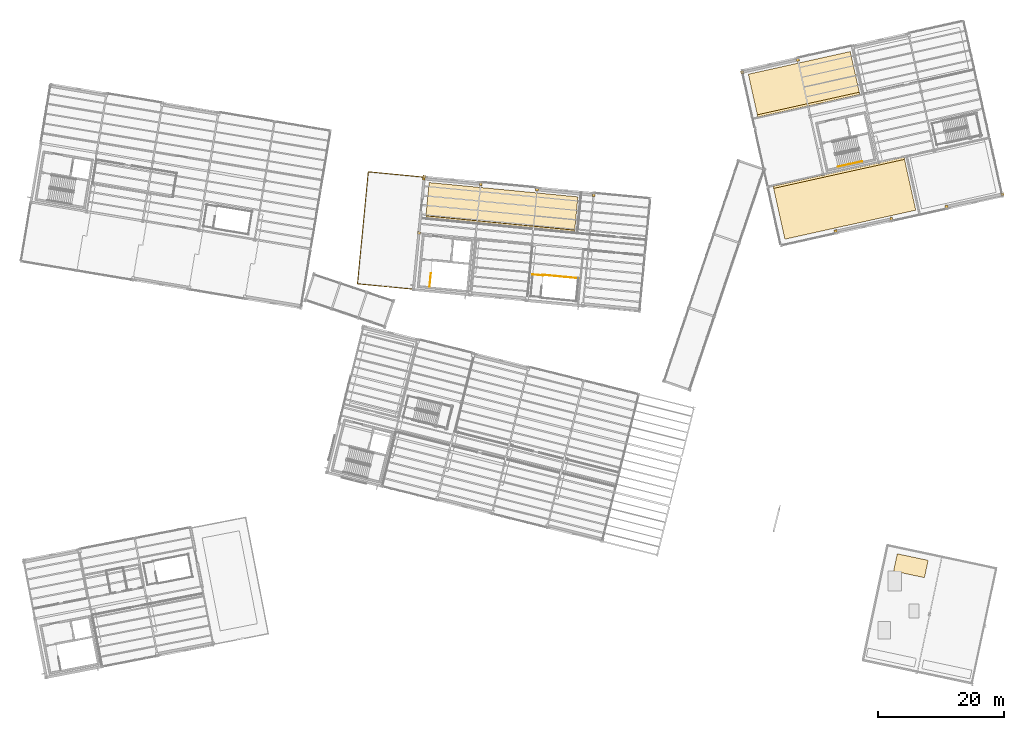
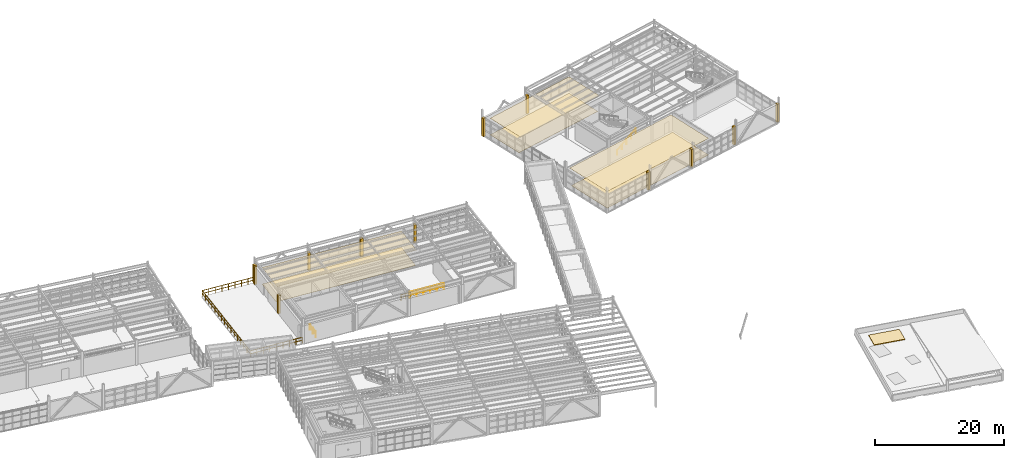
# One storey, part 101 of 102: 19 coverings, 5 railings.
"""IFC4 building model written with IfcOpenShell, lengths in metres."""

from ifc_helpers import new_model, si_unit, direction, frame, origin, origin_2d, place, context, subcontext, project, spatial, polyline, rectangle, circle, outline, extrude, material, layer, layer_set, type_object, element, save


model = new_model("IFC4")

# Units and contexts
model_context = context("Model", 3, precision=1e-05, world=origin(), true_north=direction((0.0, 1.0)))
body_context = subcontext(model_context, "Body", "Model", "MODEL_VIEW")
ifc_project = project(units=[si_unit("LENGTHUNIT", "METRE"), si_unit("AREAUNIT", "SQUARE_METRE"), si_unit("VOLUMEUNIT", "CUBIC_METRE"), si_unit("PLANEANGLEUNIT", "RADIAN"), si_unit("MASSUNIT", "GRAM", prefix="KILO")], contexts=[model_context])

# Site, building, storey
site_placement = place(None, origin())
site = spatial("IfcSite", under=ifc_project, at=site_placement, CompositionType="ELEMENT")
building_placement = place(site_placement, origin())
building = spatial("IfcBuilding", under=site, at=building_placement, Name="Vireo Bluff Cable Station", CompositionType="ELEMENT")
storey_placement = place(building_placement, frame((0.0, 0.0, 9.60009765625)))
storey = spatial("IfcBuildingStorey", under=building, at=storey_placement, Name="L02", CompositionType="ELEMENT", Elevation=9.60009765625)

# Coverings
ifc_material_1 = material(Name="Perforated Acoustic Metal Ceiling")
ifc_layer_1 = layer(ifc_material_1, 0.02490234375, Name="Perforated Acoustic Metal Ceiling")
ifc_layer_set_1 = layer_set([ifc_layer_1], Name="Perforated Acoustic Metal Ceiling")
covering_type_1 = type_object("IfcCoveringType", Name="CEILING-ACOUSTIC-25", PredefinedType="CEILING", material=ifc_layer_set_1)
covering_1_placement = place(storey_placement, frame((0.0, 0.0, 3.119873046875)))
element("IfcCovering", 1, at=covering_1_placement, inside=storey, type_object=covering_type_1, Name="V2 L02 Drive Room acoustic ceiling", PredefinedType="CEILING", context=body_context, shape_type="SweptSolid", body=[
    extrude(outline(polyline([(126.64599609375, 75.013916015625), (147.39208984375, 79.61328125), (145.528564453125, 88.01904296875), (124.7822265625, 83.419677734375), (126.64599609375, 75.013916015625)])), origin(), (0.0, 0.0, 1.0), 0.025146484375),
])
covering_2_placement = place(storey_placement, frame((0.0, 0.0, 3.119873046875)))
element("IfcCovering", 2, at=covering_2_placement, inside=storey, type_object=covering_type_1, Name="V3 L02 Viewing Restaurant acoustic ceiling", PredefinedType="CEILING", context=body_context, shape_type="SweptSolid", body=[
    extrude(outline(polyline([(69.68310546875, 78.334716796875), (93.27392578125, 76.06298828125), (93.81884765625, 81.721923828125), (70.22802734375, 83.993408203125), (69.68310546875, 78.334716796875)])), origin(), (0.0, 0.0, 1.0), 0.025146484375),
])
ifc_layer_2 = layer(ifc_material_1, 0.034912109375, Name="Perforated Acoustic Metal Ceiling")
ifc_layer_set_2 = layer_set([ifc_layer_2], Name="Perforated Acoustic Metal Ceiling")
covering_type_2 = type_object("IfcCoveringType", Name="CEILING-ACOUSTIC-35", PredefinedType="CEILING", material=ifc_layer_set_2)
covering_3_placement = place(storey_placement, frame((0.0, 0.0, 3.119873046875)))
element("IfcCovering", 3, at=covering_3_placement, inside=storey, type_object=covering_type_2, Name="V2 L02 Auxiliary Evacuation Drive Room acoustic ceiling", PredefinedType="CEILING", context=body_context, shape_type="SweptSolid", body=[
    extrude(outline(polyline([(122.353759765625, 94.373779296875), (138.511474609375, 97.955810546875), (137.0029296875, 104.7607421875), (120.84521484375, 101.178466796875), (122.353759765625, 94.373779296875)])), origin(), (0.0, 0.0, 1.0), 0.034912109375),
])
ifc_material_2 = material(Name="Precast concrete f'c 45 MPa", Category="concrete")
ifc_layer_3 = layer(ifc_material_2, 0.0400390625, Name="Precast concrete f'c 45 MPa")
ifc_layer_set_3 = layer_set([ifc_layer_3], Name="Precast concrete f'c 45 MPa")
covering_type_3 = type_object("IfcCoveringType", Name="COL-CLOSURE-WRAP", PredefinedType="CLADDING", material=ifc_layer_set_3)
for number, where, z_axis, x_axis, name in (
    (4, (161.121337890625, 82.134521484375, 0.0), (0.0, 0.0, 1.0), (0.97629600712, 0.216439613938, 0.0), "V2 L02 column pocket closure"),
    (5, (152.263427734375, 80.170654296875, 0.0), (0.0, 0.0, 1.0), (0.97629600712, 0.216439613938, 0.0), "V2 L02 column pocket closure"),
    (6, (143.520751953125, 78.232421875, 0.0), (0.0, 0.0, 1.0), (0.97629600712, 0.216439613938, 0.0), "V2 L02 column pocket closure"),
    (7, (134.690185546875, 76.27490234375, 0.0), (0.0, 0.0, 1.0), (0.97629600712, 0.216439613938, 0.0), "V2 L02 column pocket closure"),
    (8, (119.856689453125, 101.481689453125, 0.0), (0.0, 0.0, 1.0), (0.97629600712, 0.216439613938, 0.0), "V2 L02 column pocket closure"),
    (9, (128.712646484375, 103.445068359375, 0.0), (0.0, 0.0, 1.0), (0.97629600712, 0.216439613938, 0.0), "V2 L02 column pocket closure"),
    (10, (68.601806640625, 75.973876953125, 0.0), (0.0, 0.0, 1.0), (0.995396198367, -0.09584575252, 0.0), "V3 L02 column pocket closure"),
    (11, (69.46337890625, 84.922607421875, 0.0), (0.0, 0.0, 1.0), (0.995396198367, -0.09584575252, 0.0), "V3 L02 column pocket closure"),
    (12, (69.3798828125, 84.58740234375, 0.0), (0.0, 0.0, 1.0), (0.995396198367, -0.09584575252, 0.0), "V3 L02 column pocket closure"),
    (13, (78.41064453125, 83.718017578125, 0.0), (0.0, 0.0, 1.0), (0.995396198367, -0.09584575252, 0.0), "V3 L02 column pocket closure"),
    (14, (87.324462890625, 82.859619140625, 0.0), (0.0, 0.0, 1.0), (0.995396198367, -0.09584575252, 0.0), "V3 L02 column pocket closure"),
    (15, (96.327880859375, 81.99267578125, 0.0), (0.0, 0.0, 1.0), (0.995396198367, -0.09584575252, 0.0), "V3 L02 column pocket closure"),
):
    element("IfcCovering", number, at=place(storey_placement, frame(where, z_axis=z_axis, x_axis=x_axis)), inside=storey, type_object=covering_type_3, Name=name, PredefinedType="CLADDING", context=body_context, shape_type="SweptSolid", body=[
        extrude(rectangle(XDim=0.43994140625, YDim=0.43994140625, at=origin_2d()), origin(), (0.0, 0.0, 1.0), 3.39990234375),
    ])

# Railing
ifc_material_3 = material(Name="Stainless Steel 316", Category="steel")
railing_type_1 = type_object("IfcRailingType", Name="EXTGUARD-1150", PredefinedType="GUARDRAIL", material=ifc_material_3)
railing_1_placement = place(storey_placement, frame((67.7060546875, 67.08740234375, 0.0)))
element("IfcRailing", 16, at=railing_1_placement, inside=storey, type_object=railing_type_1, Name="V3 L02 outdoor terrace guard 1", PredefinedType="GUARDRAIL", context=body_context, shape_type="SweptSolid", body=[
    extrude(circle(Radius=0.02392578125, at=origin_2d()), frame((0.0, 0.0, 1.1259765625), z_axis=(-0.995396578666, 0.095841802879, 0.0), x_axis=(-0.095841802879, -0.995396578666, 0.0)), (0.0, 0.0, 1.0), 8.8798828125),
    extrude(circle(Radius=0.02392578125, at=origin_2d()), frame((0.0, 0.0, 0.574951171875), z_axis=(-0.995396578666, 0.095841802879, 0.0), x_axis=(-0.095841802879, -0.995396578666, 0.0)), (0.0, 0.0, 1.0), 8.8798828125),
    extrude(circle(Radius=0.02392578125, at=origin_2d()), frame((-8.839111328125, 0.85107421875, 1.1259765625), z_axis=(0.095836529314, 0.995397086418, 0.0), x_axis=(-0.995397086418, 0.095836529314, 0.0)), (0.0, 0.0, 1.0), 17.83984375),
    extrude(circle(Radius=0.02392578125, at=origin_2d()), frame((-8.839111328125, 0.85107421875, 0.574951171875), z_axis=(0.095836529314, 0.995397086418, 0.0), x_axis=(-0.995397086418, 0.095836529314, 0.0)), (0.0, 0.0, 1.0), 17.83984375),
    extrude(circle(Radius=0.02392578125, at=origin_2d()), frame((-7.12939453125, 18.60888671875, 1.1259765625), z_axis=(0.995396578666, -0.095841802879, 0.0), x_axis=(0.095841802879, 0.995396578666, 0.0)), (0.0, 0.0, 1.0), 8.8798828125),
    extrude(circle(Radius=0.02392578125, at=origin_2d()), frame((-7.12939453125, 18.60888671875, 0.574951171875), z_axis=(0.995396578666, -0.095841802879, 0.0), x_axis=(0.095841802879, 0.995396578666, 0.0)), (0.0, 0.0, 1.0), 8.8798828125),
    extrude(circle(Radius=0.02099609375, at=origin_2d()), origin(), (0.0, 0.0, 1.0), 1.101806640625),
    extrude(circle(Radius=0.02099609375, at=origin_2d()), frame((-1.10498046875, 0.1064453125, 0.0)), (0.0, 0.0, 1.0), 1.101806640625),
    extrude(circle(Radius=0.02099609375, at=origin_2d()), frame((-2.209716796875, 0.212890625, 0.0)), (0.0, 0.0, 1.0), 1.101806640625),
    extrude(circle(Radius=0.02099609375, at=origin_2d()), frame((-3.314697265625, 0.319091796875, 0.0)), (0.0, 0.0, 1.0), 1.101806640625),
    extrude(circle(Radius=0.02099609375, at=origin_2d()), frame((-4.41943359375, 0.425537109375, 0.0)), (0.0, 0.0, 1.0), 1.101806640625),
    extrude(circle(Radius=0.02099609375, at=origin_2d()), frame((-5.5244140625, 0.531982421875, 0.0)), (0.0, 0.0, 1.0), 1.101806640625),
    extrude(circle(Radius=0.02099609375, at=origin_2d()), frame((-6.62939453125, 0.63818359375, 0.0)), (0.0, 0.0, 1.0), 1.101806640625),
    extrude(circle(Radius=0.02099609375, at=origin_2d()), frame((-7.734130859375, 0.74462890625, 0.0)), (0.0, 0.0, 1.0), 1.101806640625),
    extrude(circle(Radius=0.02099609375, at=origin_2d()), frame((-8.839111328125, 0.85107421875, 0.0)), (0.0, 0.0, 1.0), 1.101806640625),
    extrude(circle(Radius=0.02099609375, at=origin_2d()), frame((-8.72509765625, 2.034912109375, 0.0)), (0.0, 0.0, 1.0), 1.101806640625),
    extrude(circle(Radius=0.02099609375, at=origin_2d()), frame((-8.611083984375, 3.21875, 0.0)), (0.0, 0.0, 1.0), 1.101806640625),
    extrude(circle(Radius=0.02099609375, at=origin_2d()), frame((-8.4970703125, 4.402587890625, 0.0)), (0.0, 0.0, 1.0), 1.101806640625),
    extrude(circle(Radius=0.02099609375, at=origin_2d()), frame((-8.38330078125, 5.58642578125, 0.0)), (0.0, 0.0, 1.0), 1.101806640625),
    extrude(circle(Radius=0.02099609375, at=origin_2d()), frame((-8.269287109375, 6.770263671875, 0.0)), (0.0, 0.0, 1.0), 1.101806640625),
    extrude(circle(Radius=0.02099609375, at=origin_2d()), frame((-8.1552734375, 7.9541015625, 0.0)), (0.0, 0.0, 1.0), 1.101806640625),
    extrude(circle(Radius=0.02099609375, at=origin_2d()), frame((-8.041259765625, 9.137939453125, 0.0)), (0.0, 0.0, 1.0), 1.101806640625),
    extrude(circle(Radius=0.02099609375, at=origin_2d()), frame((-7.92724609375, 10.322021484375, 0.0)), (0.0, 0.0, 1.0), 1.101806640625),
    extrude(circle(Radius=0.02099609375, at=origin_2d()), frame((-7.813232421875, 11.505859375, 0.0)), (0.0, 0.0, 1.0), 1.101806640625),
    extrude(circle(Radius=0.02099609375, at=origin_2d()), frame((-7.69921875, 12.689697265625, 0.0)), (0.0, 0.0, 1.0), 1.101806640625),
    extrude(circle(Radius=0.02099609375, at=origin_2d()), frame((-7.585205078125, 13.87353515625, 0.0)), (0.0, 0.0, 1.0), 1.101806640625),
    extrude(circle(Radius=0.02099609375, at=origin_2d()), frame((-7.471435546875, 15.057373046875, 0.0)), (0.0, 0.0, 1.0), 1.101806640625),
    extrude(circle(Radius=0.02099609375, at=origin_2d()), frame((-7.357421875, 16.2412109375, 0.0)), (0.0, 0.0, 1.0), 1.101806640625),
    extrude(circle(Radius=0.02099609375, at=origin_2d()), frame((-7.243408203125, 17.425048828125, 0.0)), (0.0, 0.0, 1.0), 1.101806640625),
    extrude(circle(Radius=0.02099609375, at=origin_2d()), frame((-7.12939453125, 18.60888671875, 0.0)), (0.0, 0.0, 1.0), 1.101806640625),
    extrude(circle(Radius=0.02099609375, at=origin_2d()), frame((-6.0244140625, 18.50244140625, 0.0)), (0.0, 0.0, 1.0), 1.101806640625),
    extrude(circle(Radius=0.02099609375, at=origin_2d()), frame((-4.919677734375, 18.39599609375, 0.0)), (0.0, 0.0, 1.0), 1.101806640625),
    extrude(circle(Radius=0.02099609375, at=origin_2d()), frame((-3.814697265625, 18.289794921875, 0.0)), (0.0, 0.0, 1.0), 1.101806640625),
    extrude(circle(Radius=0.02099609375, at=origin_2d()), frame((-2.7099609375, 18.183349609375, 0.0)), (0.0, 0.0, 1.0), 1.101806640625),
    extrude(circle(Radius=0.02099609375, at=origin_2d()), frame((-1.60498046875, 18.076904296875, 0.0)), (0.0, 0.0, 1.0), 1.101806640625),
    extrude(circle(Radius=0.02099609375, at=origin_2d()), frame((-0.5, 17.970703125, 0.0)), (0.0, 0.0, 1.0), 1.101806640625),
    extrude(circle(Radius=0.02099609375, at=origin_2d()), frame((0.604736328125, 17.8642578125, 0.0)), (0.0, 0.0, 1.0), 1.101806640625),
    extrude(circle(Radius=0.02099609375, at=origin_2d()), frame((1.709716796875, 17.7578125, 0.0)), (0.0, 0.0, 1.0), 1.101806640625),
])

# Coverings
ifc_material_4 = material(Name="Polished Terrazzo Flooring")
ifc_layer_4 = layer(ifc_material_4, 0.02001953125, Name="Polished Terrazzo Flooring")
ifc_layer_set_4 = layer_set([ifc_layer_4], Name="Polished Terrazzo Flooring")
covering_type_4 = type_object("IfcCoveringType", Name="FLOORING-TERRAZZO-20", PredefinedType="FLOORING", material=ifc_layer_set_4)
covering_4_placement = place(storey_placement, origin())
element("IfcCovering", 17, at=covering_4_placement, inside=storey, type_object=covering_type_4, Name="V2 L02 Drive Room terrazzo finish", PredefinedType="FLOORING", context=body_context, shape_type="SweptSolid", body=[
    extrude(outline(polyline([(126.64599609375, 75.013916015625), (147.39208984375, 79.61328125), (145.6064453125, 87.667724609375), (124.8603515625, 83.068359375), (126.64599609375, 75.013916015625)])), origin(), (0.0, 0.0, 1.0), 0.02001953125),
])
covering_5_placement = place(storey_placement, origin())
element("IfcCovering", 18, at=covering_5_placement, inside=storey, type_object=covering_type_4, Name="V3 L02 Viewing Restaurant terrazzo finish", PredefinedType="FLOORING", context=body_context, shape_type="SweptSolid", body=[
    extrude(outline(polyline([(69.719970703125, 78.7177734375), (93.310791015625, 76.4462890625), (93.81884765625, 81.721923828125), (70.22802734375, 83.993408203125), (69.719970703125, 78.7177734375)])), origin(), (0.0, 0.0, 1.0), 0.02001953125),
])
ifc_layer_5 = layer(ifc_material_4, 0.030029296875, Name="Polished Terrazzo Flooring")
ifc_layer_set_5 = layer_set([ifc_layer_5], Name="Polished Terrazzo Flooring")
covering_type_5 = type_object("IfcCoveringType", Name="FLOORING-TERRAZZO-30", PredefinedType="FLOORING", material=ifc_layer_set_5)
covering_6_placement = place(storey_placement, origin())
element("IfcCovering", 19, at=covering_6_placement, inside=storey, type_object=covering_type_5, Name="V2 L02 Auxiliary Evacuation Drive Room terrazzo finish", PredefinedType="FLOORING", context=body_context, shape_type="SweptSolid", body=[
    extrude(outline(polyline([(122.273681640625, 94.735107421875), (138.431396484375, 98.317138671875), (137.0029296875, 104.7607421875), (120.84521484375, 101.178466796875), (122.273681640625, 94.735107421875)])), origin(), (0.0, 0.0, 1.0), 0.02978515625),
])
ifc_material_5 = material(Name="Vegetated Green Roof Assembly")
ifc_layer_6 = layer(ifc_material_5, 0.1201171875, Name="Vegetated Green Roof Assembly")
ifc_layer_set_6 = layer_set([ifc_layer_6], Name="Vegetated Green Roof Assembly")
covering_type_6 = type_object("IfcCoveringType", Name="ROOFING-GREEN-120", PredefinedType="ROOFING", material=ifc_layer_set_6)
covering_7_placement = place(storey_placement, origin())
element("IfcCovering", 20, at=covering_7_placement, inside=storey, type_object=covering_type_6, Name="V5E L02 vegetated green roof bed 6", PredefinedType="ROOFING", context=body_context, shape_type="SweptSolid", body=[
    extrude(outline(polyline([(143.87841796875, 22.38525390625), (148.76904296875, 21.345703125), (149.35107421875, 24.08447265625), (144.46044921875, 25.1240234375), (143.87841796875, 22.38525390625)])), origin(), (0.0, 0.0, 1.0), 0.119873046875),
])

# Railings
railing_type_2 = type_object("IfcRailingType", Name="STAIR-GUARD-1100", PredefinedType="GUARDRAIL", material=ifc_material_3)
railing_2_placement = place(storey_placement, frame((70.293701171875, 67.4609375, 0.0)))
element("IfcRailing", 21, at=railing_2_placement, inside=storey, type_object=railing_type_2, Name="L02 ST-01 top well guard 1", PredefinedType="GUARDRAIL", context=body_context, shape_type="SweptSolid", body=[
    extrude(circle(Radius=0.02392578125, at=origin_2d()), frame((0.0, 0.0, 1.076171875), z_axis=(0.095837899791, 0.995396954468, 0.0), x_axis=(-0.995396954468, 0.095837899791, 0.0)), (0.0, 0.0, 1.0), 2.150146484375),
    extrude(circle(Radius=0.02392578125, at=origin_2d()), frame((0.0, 0.0, 0.550048828125), z_axis=(0.095837899791, 0.995396954468, 0.0), x_axis=(-0.995396954468, 0.095837899791, 0.0)), (0.0, 0.0, 1.0), 2.150146484375),
    extrude(circle(Radius=0.02099609375, at=origin_2d()), origin(), (0.0, 0.0, 1.0), 1.052001953125),
    extrude(circle(Radius=0.02099609375, at=origin_2d()), frame((0.10302734375, 1.070068359375, 0.0)), (0.0, 0.0, 1.0), 1.052001953125),
    extrude(circle(Radius=0.02099609375, at=origin_2d()), frame((0.2060546875, 2.14013671875, 0.0)), (0.0, 0.0, 1.0), 1.052001953125),
])
railing_3_placement = place(storey_placement, frame((88.1884765625, 69.36474609375, 0.0)))
element("IfcRailing", 22, at=railing_3_placement, inside=storey, type_object=railing_type_2, Name="L02 ST-11 top well guard 3", PredefinedType="GUARDRAIL", context=body_context, shape_type="SweptSolid", body=[
    extrude(circle(Radius=0.02392578125, at=origin_2d()), frame((0.0, 0.0, 1.076171875), z_axis=(0.995392967818, -0.095879297134, 0.0), x_axis=(0.095879297134, 0.995392967818, 0.0)), (0.0, 0.0, 1.0), 5.77001953125),
    extrude(circle(Radius=0.02392578125, at=origin_2d()), frame((0.0, 0.0, 0.550048828125), z_axis=(0.995392967818, -0.095879297134, 0.0), x_axis=(0.095879297134, 0.995392967818, 0.0)), (0.0, 0.0, 1.0), 5.77001953125),
    extrude(circle(Radius=0.02099609375, at=origin_2d()), origin(), (0.0, 0.0, 1.0), 1.052001953125),
    extrude(circle(Radius=0.02099609375, at=origin_2d()), frame((1.148681640625, -0.110595703125, 0.0)), (0.0, 0.0, 1.0), 1.052001953125),
    extrude(circle(Radius=0.02099609375, at=origin_2d()), frame((2.29736328125, -0.22119140625, 0.0)), (0.0, 0.0, 1.0), 1.052001953125),
    extrude(circle(Radius=0.02099609375, at=origin_2d()), frame((3.446044921875, -0.33203125, 0.0)), (0.0, 0.0, 1.0), 1.052001953125),
    extrude(circle(Radius=0.02099609375, at=origin_2d()), frame((4.5947265625, -0.442626953125, 0.0)), (0.0, 0.0, 1.0), 1.052001953125),
    extrude(circle(Radius=0.02099609375, at=origin_2d()), frame((5.743408203125, -0.55322265625, 0.0)), (0.0, 0.0, 1.0), 1.052001953125),
])
railing_4_placement = place(storey_placement, frame((86.606201171875, 69.41650390625, 0.0)))
element("IfcRailing", 23, at=railing_4_placement, inside=storey, type_object=railing_type_2, Name="L02 ST-11 top well guard 6", PredefinedType="GUARDRAIL", context=body_context, shape_type="SweptSolid", body=[
    extrude(circle(Radius=0.02392578125, at=origin_2d()), frame((0.0, 0.0, 1.076171875), z_axis=(0.99540423551, -0.095762246891, 0.0), x_axis=(0.095762246891, 0.99540423551, 0.0)), (0.0, 0.0, 1.0), 1.68017578125),
    extrude(circle(Radius=0.02392578125, at=origin_2d()), frame((0.0, 0.0, 0.550048828125), z_axis=(0.99540423551, -0.095762246891, 0.0), x_axis=(0.095762246891, 0.99540423551, 0.0)), (0.0, 0.0, 1.0), 1.68017578125),
    extrude(circle(Radius=0.02099609375, at=origin_2d()), origin(), (0.0, 0.0, 1.0), 1.052001953125),
    extrude(circle(Radius=0.02099609375, at=origin_2d()), frame((0.836181640625, -0.08056640625, 0.0)), (0.0, 0.0, 1.0), 1.052001953125),
    extrude(circle(Radius=0.02099609375, at=origin_2d()), frame((1.67236328125, -0.160888671875, 0.0)), (0.0, 0.0, 1.0), 1.052001953125),
])
railing_type_3 = type_object("IfcRailingType", Name="STAIR-HANDRAIL-900", PredefinedType="HANDRAIL", material=ifc_material_3)
railing_5_placement = place(storey_placement, frame((135.0576171875, 86.5068359375, 0.17138671875)))
element("IfcRailing", 24, at=railing_5_placement, inside=storey, type_object=railing_type_3, Name="L02 ST-04 stair handrail 1", PredefinedType="HANDRAIL", context=body_context, shape_type="SweptSolid", body=[
    extrude(circle(Radius=0.02392578125, at=origin_2d()), frame((0.0, 0.0, 0.8759765625), z_axis=(0.847667079932, 0.187947727777, 0.496121127572), x_axis=(-0.216466466135, 0.976290053744, 0.0)), (0.0, 0.0, 1.0), 4.491943359375),
    extrude(circle(Radius=0.02099609375, at=origin_2d()), origin(), (0.0, 0.0, 1.0), 0.851806640625),
    extrude(circle(Radius=0.02099609375, at=origin_2d()), frame((0.951904296875, 0.2109375, 0.55712890625)), (0.0, 0.0, 1.0), 0.851806640625),
    extrude(circle(Radius=0.02099609375, at=origin_2d()), frame((1.90380859375, 0.422119140625, 1.1142578125)), (0.0, 0.0, 1.0), 0.851806640625),
    extrude(circle(Radius=0.02099609375, at=origin_2d()), frame((2.855712890625, 0.63330078125, 1.67138671875)), (0.0, 0.0, 1.0), 0.851806640625),
    extrude(circle(Radius=0.02099609375, at=origin_2d()), frame((3.8076171875, 0.84423828125, 2.228515625)), (0.0, 0.0, 1.0), 0.851806640625),
])

save(model, "model.ifc")
